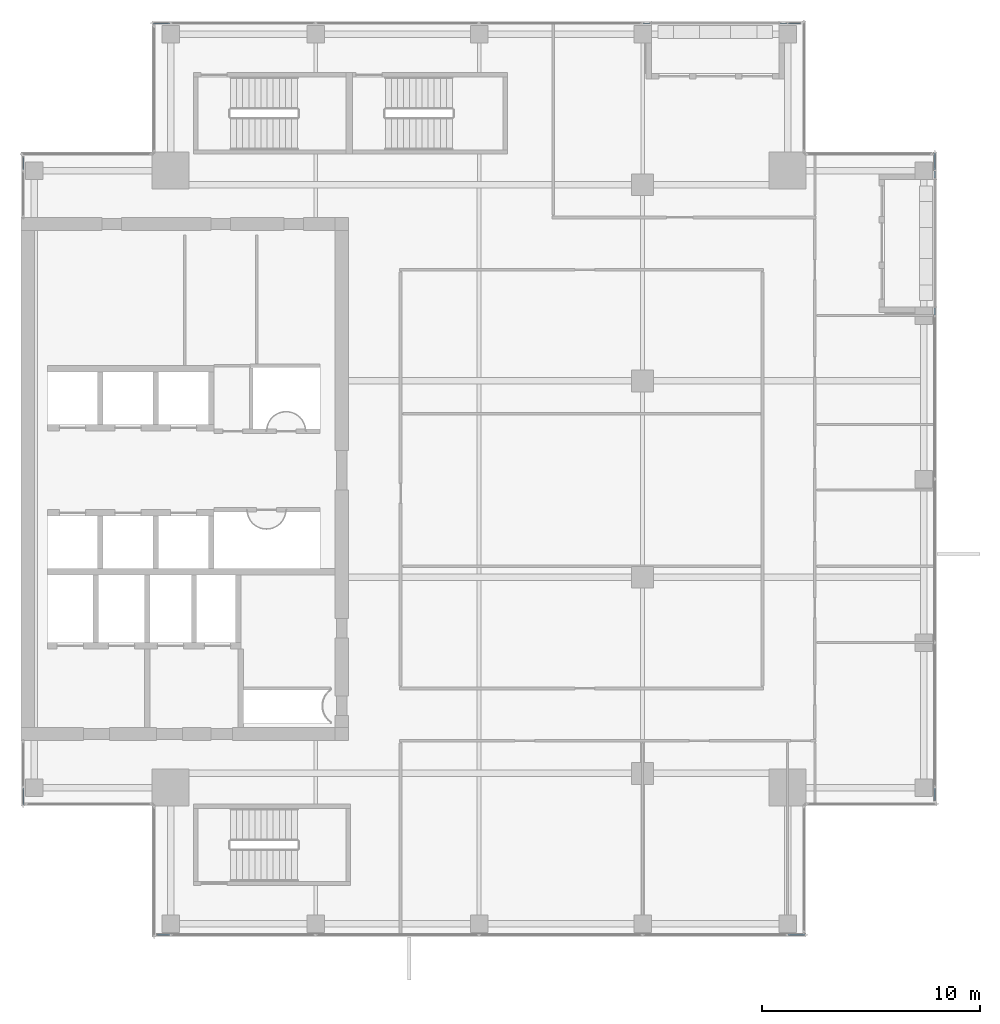
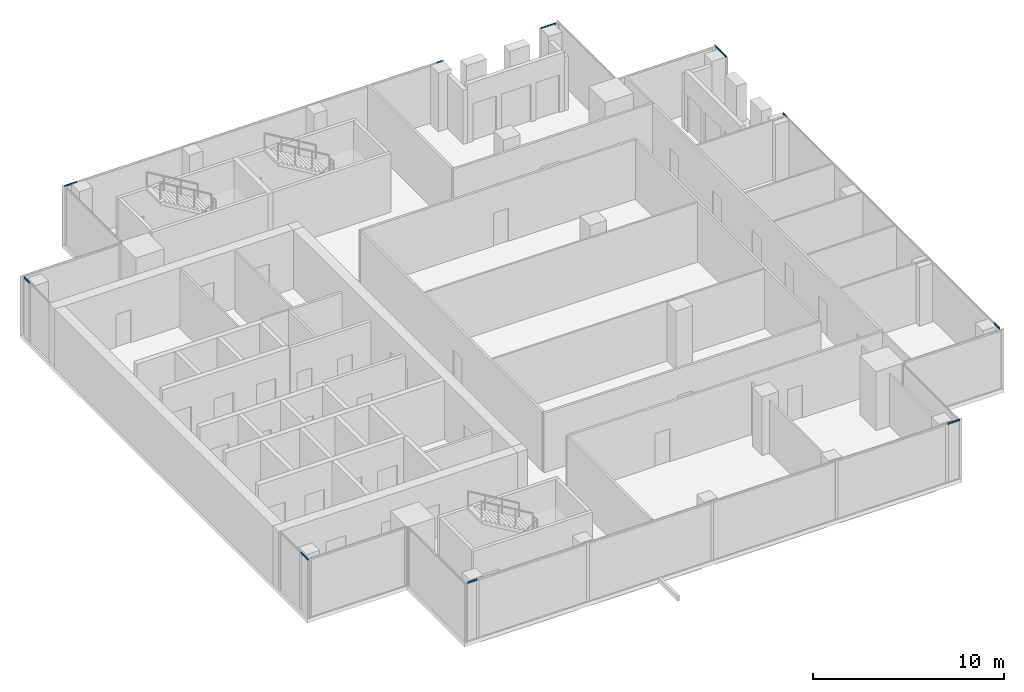
# One storey, part 17 of 28: 12 members, 7 elements without a shape of their own.
"""IFC4 building model written with IfcOpenShell, lengths in metres."""

from ifc_helpers import new_model, si_unit, direction, frame, origin, origin_2d, place, context, subcontext, project, spatial, hollow_rectangle, extrude, source, transform, mapped, material, material_profile, profile_set, type_object, element, aggregate, save


model = new_model("IFC4")

# Units and contexts
model_context = context("Model", 3, precision=1e-05, world=origin(), true_north=direction((0.0, 1.0)))
body_context = subcontext(model_context, "Body", "Model", "MODEL_VIEW")
ifc_project = project(units=[si_unit("LENGTHUNIT", "METRE"), si_unit("AREAUNIT", "SQUARE_METRE"), si_unit("VOLUMEUNIT", "CUBIC_METRE"), si_unit("PLANEANGLEUNIT", "RADIAN"), si_unit("MASSUNIT", "GRAM", prefix="KILO")], contexts=[model_context])

# Site, building, storey
site_placement = place(None, origin())
site = spatial("IfcSite", under=ifc_project, at=site_placement, CompositionType="ELEMENT")
building_placement = place(site_placement, origin())
building = spatial("IfcBuilding", under=site, at=building_placement, Name="Khomas Fold Tower", CompositionType="ELEMENT")
storey_placement = place(building_placement, frame((0.0, 0.0, 302.199951171875)))
storey = spatial("IfcBuildingStorey", under=building, at=storey_placement, Name="L68", CompositionType="ELEMENT", Elevation=302.199951171875)

# Curtain wall, member
ifc_material_1 = material(Name="Aluminium framed double glazing", Category="aluminium")
curtain_wall_type = type_object("IfcCurtainWallType", Name="SK-Unitised clear-glass wall, upper floors CW3", PredefinedType="NOTDEFINED", material=ifc_material_1)
curtain_wall_1_placement = place(storey_placement, origin())
curtain_wall_1 = element("IfcCurtainWall", 1, at=curtain_wall_1_placement, inside=storey, type_object=curtain_wall_type, Name="CW3 run L68 00-0", PredefinedType="NOTDEFINED")
ifc_material_2 = material(Name="Aluminium", Category="aluminium")
ifc_material_profile = material_profile(ifc_material_2, hollow_rectangle(XDim=0.050048828125, YDim=0.10009765625, WallThickness=0.00390625, at=origin_2d()), Name="SK-Unitised clear-glass wall, upper floors transom CW3-T")
ifc_profile_set = profile_set([ifc_material_profile], Name="Aluminium")
member_type = type_object("IfcMemberType", Name="SK-Unitised clear-glass wall, upper floors transom CW3-T", PredefinedType="USERDEFINED", material=ifc_profile_set)
shared_shape_1 = source(origin(), body_context, "Body", "SweptSolid", [
    extrude(hollow_rectangle(XDim=0.050048828125, YDim=0.10009765625, WallThickness=0.00390625, at=origin_2d()), origin(), (0.0, 0.0, 1.0), 0.574951171875),
])
member_1_placement = place(storey_placement, frame((12.25, 6.10009765625, 3.699951171875), z_axis=(1.0, 0.0, 0.0), x_axis=(0.0, 1.0, 0.0)))
member_1 = element("IfcMember", 2, at=member_1_placement, type_object=member_type, Name="CW3 transom 1", ObjectType="TRANSOM", PredefinedType="USERDEFINED", context=body_context, shape_type="MappedRepresentation", body=[
    mapped(shared_shape_1, transform((0.0, 0.0, 0.0))),
])

curtain_wall_2_placement = place(storey_placement, origin())
curtain_wall_2 = element("IfcCurtainWall", 3, at=curtain_wall_2_placement, inside=storey, type_object=curtain_wall_type, Name="CW3 run L68 03-0", PredefinedType="NOTDEFINED")
member_2_placement = place(storey_placement, frame((47.89990234375, 12.25, 3.699951171875), z_axis=(0.0, 1.0, 0.0), x_axis=(-1.0, 0.0, 0.0)))
member_2 = element("IfcMember", 4, at=member_2_placement, type_object=member_type, Name="CW3 transom 1", ObjectType="TRANSOM", PredefinedType="USERDEFINED", context=body_context, shape_type="MappedRepresentation", body=[
    mapped(shared_shape_1, transform((0.0, 0.0, 0.0))),
])

curtain_wall_3_placement = place(storey_placement, origin())
curtain_wall_3 = element("IfcCurtainWall", 5, at=curtain_wall_3_placement, inside=storey, type_object=curtain_wall_type, Name="CW3 run L68 06-0", PredefinedType="NOTDEFINED")
member_3_placement = place(storey_placement, frame((41.75, 47.89990234375, 3.699951171875), z_axis=(-1.0, 0.0, 0.0), x_axis=(0.0, -1.0, 0.0)))
member_3 = element("IfcMember", 6, at=member_3_placement, type_object=member_type, Name="CW3 transom 1", ObjectType="TRANSOM", PredefinedType="USERDEFINED", context=body_context, shape_type="MappedRepresentation", body=[
    mapped(shared_shape_1, transform((0.0, 0.0, 0.0))),
])

curtain_wall_4_placement = place(storey_placement, origin())
curtain_wall_4 = element("IfcCurtainWall", 7, at=curtain_wall_4_placement, inside=storey, type_object=curtain_wall_type, Name="CW3 run L68 09-0", PredefinedType="NOTDEFINED")
member_4_placement = place(storey_placement, frame((6.10009765625, 41.75, 3.699951171875), z_axis=(0.0, -1.0, 0.0), x_axis=(1.0, 0.0, 0.0)))
member_4 = element("IfcMember", 8, at=member_4_placement, type_object=member_type, Name="CW3 transom 1", ObjectType="TRANSOM", PredefinedType="USERDEFINED", context=body_context, shape_type="MappedRepresentation", body=[
    mapped(shared_shape_1, transform((0.0, 0.0, 0.0))),
])
aggregate(curtain_wall_4, [member_4])

# Member
shared_shape_2 = source(origin(), body_context, "Body", "SweptSolid", [
    extrude(hollow_rectangle(XDim=0.050048828125, YDim=0.10009765625, WallThickness=0.00390625, at=origin_2d()), origin(), (0.0, 0.0, 1.0), 0.77490234375),
])
member_5_placement = place(storey_placement, frame((41.175048828125, 6.10009765625, 3.699951171875), z_axis=(1.0, 0.0, 0.0), x_axis=(0.0, 1.0, 0.0)))
member_5 = element("IfcMember", 9, at=member_5_placement, type_object=member_type, Name="CW3 transom 6", ObjectType="TRANSOM", PredefinedType="USERDEFINED", context=body_context, shape_type="MappedRepresentation", body=[
    mapped(shared_shape_2, transform((0.0, 0.0, 0.0))),
])

aggregate(curtain_wall_1, [member_1, member_5])

# Curtain wall, member
curtain_wall_5_placement = place(storey_placement, origin())
curtain_wall_5 = element("IfcCurtainWall", 10, at=curtain_wall_5_placement, inside=storey, type_object=curtain_wall_type, Name="CW3 run L68 03-1", PredefinedType="NOTDEFINED")
member_6_placement = place(storey_placement, frame((47.89990234375, 41.175048828125, 3.699951171875), z_axis=(0.0, 1.0, 0.0), x_axis=(-1.0, 0.0, 0.0)))
member_6 = element("IfcMember", 11, at=member_6_placement, type_object=member_type, Name="CW3 transom 2", ObjectType="TRANSOM", PredefinedType="USERDEFINED", context=body_context, shape_type="MappedRepresentation", body=[
    mapped(shared_shape_2, transform((0.0, 0.0, 0.0))),
])

curtain_wall_6_placement = place(storey_placement, origin())
curtain_wall_6 = element("IfcCurtainWall", 12, at=curtain_wall_6_placement, inside=storey, type_object=curtain_wall_type, Name="CW3 run L68 06-1", PredefinedType="NOTDEFINED")
member_7_placement = place(storey_placement, frame((12.824951171875, 47.89990234375, 3.699951171875), z_axis=(-1.0, 0.0, 0.0), x_axis=(0.0, -1.0, 0.0)))
member_7 = element("IfcMember", 13, at=member_7_placement, type_object=member_type, Name="CW3 transom 5", ObjectType="TRANSOM", PredefinedType="USERDEFINED", context=body_context, shape_type="MappedRepresentation", body=[
    mapped(shared_shape_2, transform((0.0, 0.0, 0.0))),
])

curtain_wall_7_placement = place(storey_placement, origin())
curtain_wall_7 = element("IfcCurtainWall", 14, at=curtain_wall_7_placement, inside=storey, type_object=curtain_wall_type, Name="CW3 run L68 09-1", PredefinedType="NOTDEFINED")
member_8_placement = place(storey_placement, frame((6.10009765625, 12.824951171875, 3.699951171875), z_axis=(0.0, -1.0, 0.0), x_axis=(1.0, 0.0, 0.0)))
member_8 = element("IfcMember", 15, at=member_8_placement, type_object=member_type, Name="CW3 transom 2", ObjectType="TRANSOM", PredefinedType="USERDEFINED", context=body_context, shape_type="MappedRepresentation", body=[
    mapped(shared_shape_2, transform((0.0, 0.0, 0.0))),
])
aggregate(curtain_wall_7, [member_8])

# Member
shared_shape_3 = source(origin(), body_context, "Body", "SweptSolid", [
    extrude(hollow_rectangle(XDim=0.050048828125, YDim=0.10009765625, WallThickness=0.00390625, at=origin_2d()), origin(), (0.0, 0.0, 1.0), 0.3251953125),
])
member_9_placement = place(storey_placement, frame((47.89990234375, 34.52490234375, 3.699951171875), z_axis=(0.0, 1.0, 0.0), x_axis=(-1.0, 0.0, 0.0)))
member_9 = element("IfcMember", 16, at=member_9_placement, type_object=member_type, Name="CW3 transom 5", ObjectType="TRANSOM", PredefinedType="USERDEFINED", context=body_context, shape_type="MappedRepresentation", body=[
    mapped(shared_shape_3, transform((0.0, 0.0, 0.0))),
])

aggregate(curtain_wall_2, [member_2, member_9])

member_10_placement = place(storey_placement, frame((34.85009765625, 47.89990234375, 3.699951171875), z_axis=(-1.0, 0.0, 0.0), x_axis=(0.0, -1.0, 0.0)))
member_10 = element("IfcMember", 17, at=member_10_placement, type_object=member_type, Name="CW3 transom 1", ObjectType="TRANSOM", PredefinedType="USERDEFINED", context=body_context, shape_type="MappedRepresentation", body=[
    mapped(shared_shape_3, transform((0.0, 0.0, 0.0))),
])

aggregate(curtain_wall_6, [member_10, member_7])

shared_shape_4 = source(origin(), body_context, "Body", "SweptSolid", [
    extrude(hollow_rectangle(XDim=0.050048828125, YDim=0.10009765625, WallThickness=0.00390625, at=origin_2d()), origin(), (0.0, 0.0, 1.0), 0.324951171875),
])
member_11_placement = place(storey_placement, frame((47.89990234375, 40.800048828125, 3.699951171875), z_axis=(0.0, 1.0, 0.0), x_axis=(-1.0, 0.0, 0.0)))
member_11 = element("IfcMember", 18, at=member_11_placement, type_object=member_type, Name="CW3 transom 1", ObjectType="TRANSOM", PredefinedType="USERDEFINED", context=body_context, shape_type="MappedRepresentation", body=[
    mapped(shared_shape_4, transform((0.0, 0.0, 0.0))),
])

aggregate(curtain_wall_5, [member_11, member_6])

member_12_placement = place(storey_placement, frame((41.125, 47.89990234375, 3.699951171875), z_axis=(-1.0, 0.0, 0.0), x_axis=(0.0, -1.0, 0.0)))
member_12 = element("IfcMember", 19, at=member_12_placement, type_object=member_type, Name="CW3 transom 2", ObjectType="TRANSOM", PredefinedType="USERDEFINED", context=body_context, shape_type="MappedRepresentation", body=[
    mapped(shared_shape_4, transform((0.0, 0.0, 0.0))),
])

aggregate(curtain_wall_3, [member_3, member_12])

save(model, "model.ifc")
